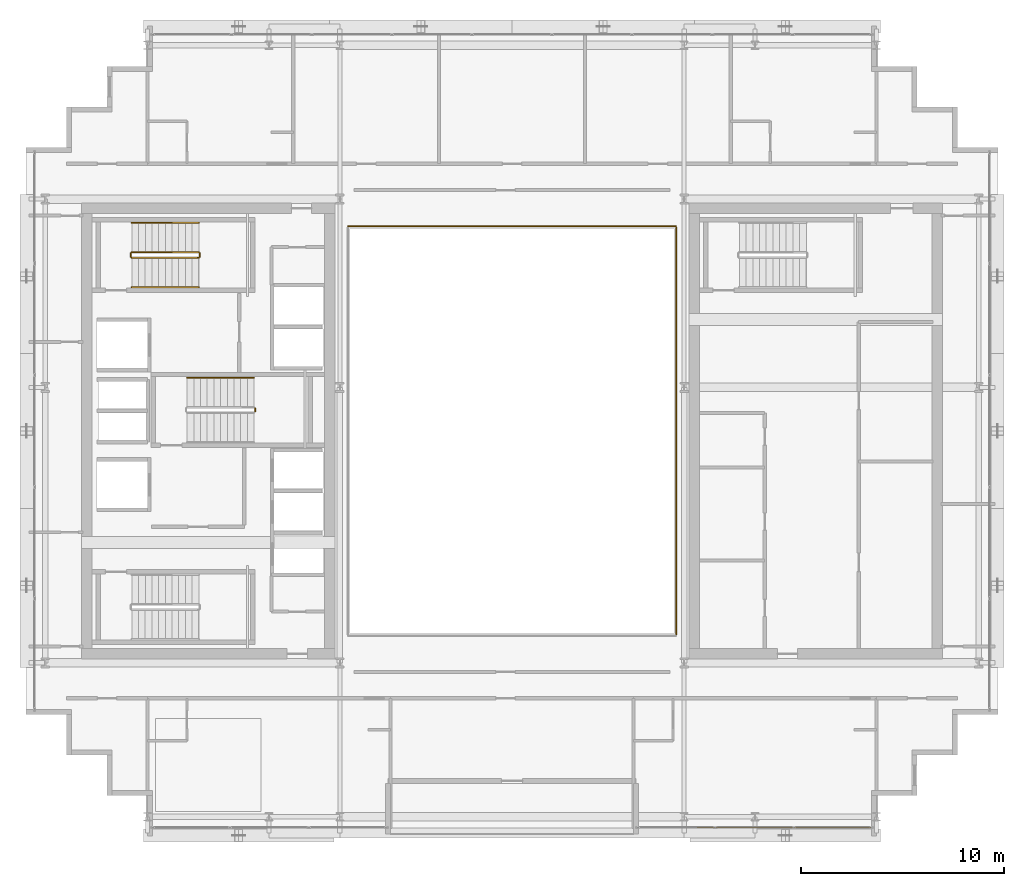
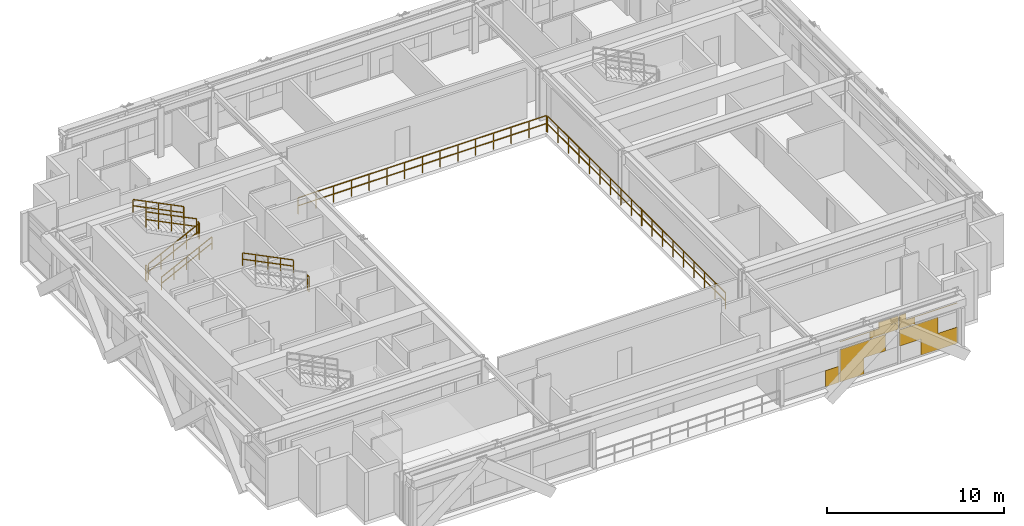
# One storey, part 28 of 30: 10 railings, 1 covering.
"""IFC4 building model written with IfcOpenShell, lengths in metres."""

from ifc_helpers import new_model, si_unit, direction, frame, origin, origin_2d, place, context, subcontext, project, spatial, rectangle, extrude, material, layer, layer_set, type_object, element, save


model = new_model("IFC4")

# Units and contexts
model_context = context("Model", 3, precision=1e-05, world=origin(), true_north=direction((0.0, 1.0)))
body_context = subcontext(model_context, "Body", "Model", "MODEL_VIEW")
ifc_project = project(units=[si_unit("LENGTHUNIT", "METRE"), si_unit("AREAUNIT", "SQUARE_METRE"), si_unit("VOLUMEUNIT", "CUBIC_METRE"), si_unit("PLANEANGLEUNIT", "RADIAN"), si_unit("MASSUNIT", "GRAM", prefix="KILO")], contexts=[model_context])

# Site, building, storey
site_placement = place(None, origin())
site = spatial("IfcSite", under=ifc_project, at=site_placement, CompositionType="ELEMENT")
building_placement = place(site_placement, origin())
building = spatial("IfcBuilding", under=site, at=building_placement, Name="Ocotamira Hotel", CompositionType="ELEMENT")
storey_placement = place(building_placement, frame((0.0, 0.0, 195.60009765625)))
storey = spatial("IfcBuildingStorey", under=building, at=storey_placement, Name="L49", CompositionType="ELEMENT", Elevation=195.60009765625)

# Covering
ifc_material_1 = material(Name="Insulated pale-metal aluminium spandrel panel", Category="aluminium")
ifc_layer = layer(ifc_material_1, 0.044921875)
ifc_layer_set = layer_set([ifc_layer], Name="Insulated pale-metal aluminium spandrel panel")
covering_type = type_object("IfcCoveringType", Name="COV-INFILL-45", PredefinedType="CLADDING", material=ifc_layer_set)
covering_placement = place(storey_placement, origin())
element("IfcCovering", 1, at=covering_placement, inside=storey, type_object=covering_type, Name="L49 Curtain Wall Infill CW-4 CW-L49-S2", PredefinedType="CLADDING", context=body_context, shape_type="SweptSolid", body=[
    extrude(rectangle(XDim=0.85888671875, YDim=0.044921875, at=origin_2d()), frame((41.5634765625, 6.419921875, 0.075439453125), z_axis=(0.0, 0.0, 1.0), x_axis=(1.0, 0.0, 0.0)), (0.0, 0.0, 1.0), 1.11767578125),
    extrude(rectangle(XDim=1.578125, YDim=0.044921875, at=origin_2d()), frame((42.86279296875, 6.419921875, 0.075439453125), z_axis=(0.0, 0.0, 1.0), x_axis=(1.0, 0.0, 0.0)), (0.0, 0.0, 1.0), 1.11767578125),
    extrude(rectangle(XDim=2.9765625, YDim=0.044921875, at=origin_2d()), frame((43.56201171875, 6.419921875, 1.19384765625), z_axis=(0.0, 0.0, 1.0), x_axis=(1.0, 0.0, 0.0)), (0.0, 0.0, 1.0), 1.117919921875),
    extrude(rectangle(XDim=3.80224609375, YDim=0.044921875, at=origin_2d()), frame((43.97509765625, 6.419921875, 2.83154296875), z_axis=(0.0, 0.0, 1.0), x_axis=(1.0, 0.0, 0.0)), (0.0, 0.0, 1.0), 0.0302734375),
    extrude(rectangle(XDim=1.8515625, YDim=0.044921875, at=origin_2d()), frame((44.950439453125, 6.419921875, 2.3876953125), z_axis=(0.0, 0.0, 1.0), x_axis=(1.0, 0.0, 0.0)), (0.0, 0.0, 1.0), 0.442626953125),
    extrude(rectangle(XDim=1.258056640625, YDim=0.044921875, at=origin_2d()), frame((45.2470703125, 6.419921875, 2.86279296875), z_axis=(0.0, 0.0, 1.0), x_axis=(1.0, 0.0, 0.0)), (0.0, 0.0, 1.0), 0.431640625),
    extrude(rectangle(XDim=2.510498046875, YDim=0.044921875, at=origin_2d()), frame((47.21240234375, 6.419921875, 1.19384765625), z_axis=(0.0, 0.0, 1.0), x_axis=(1.0, 0.0, 0.0)), (0.0, 0.0, 1.0), 1.117919921875),
    extrude(rectangle(XDim=2.37158203125, YDim=0.044921875, at=origin_2d()), frame((48.53369140625, 6.419921875, 0.075439453125), z_axis=(0.0, 0.0, 1.0), x_axis=(1.0, 0.0, 0.0)), (0.0, 0.0, 1.0), 1.11767578125),
    extrude(rectangle(XDim=1.018310546875, YDim=0.044921875, at=origin_2d()), frame((46.46630859375, 6.419921875, 2.3876953125), z_axis=(0.0, 0.0, 1.0), x_axis=(1.0, 0.0, 0.0)), (0.0, 0.0, 1.0), 0.442626953125),
    extrude(rectangle(XDim=3.76220703125, YDim=0.044921875, at=origin_2d()), frame((47.83837890625, 6.419921875, 2.83154296875), z_axis=(0.0, 0.0, 1.0), x_axis=(1.0, 0.0, 0.0)), (0.0, 0.0, 1.0), 0.0302734375),
    extrude(rectangle(XDim=0.4248046875, YDim=0.044921875, at=origin_2d()), frame((46.16943359375, 6.419921875, 2.86279296875), z_axis=(0.0, 0.0, 1.0), x_axis=(1.0, 0.0, 0.0)), (0.0, 0.0, 1.0), 0.431640625),
])

# Railings
ifc_material_2 = material(Name="Painted steel stair guardrail", Category="steel")
railing_type_1 = type_object("IfcRailingType", Name="RL-EDGE-1150", PredefinedType="GUARDRAIL", material=ifc_material_2)
railing_1_placement = place(storey_placement, frame((40.1201171875, 15.9599609375, 0.0)))
element("IfcRailing", 2, at=railing_1_placement, inside=storey, type_object=railing_type_1, Name="L49 Central Atrium Edge Guardrail E", PredefinedType="GUARDRAIL", context=body_context, shape_type="SweptSolid", body=[
    extrude(rectangle(XDim=0.048095703125, YDim=0.048095703125, at=origin_2d()), frame((0.0, 0.0, 1.1259765625), z_axis=(0.0, 1.0, 0.0), x_axis=(-1.0, 0.0, 0.0)), (0.0, 0.0, 1.0), 20.080078125),
    extrude(rectangle(XDim=0.048095703125, YDim=0.048095703125, at=origin_2d()), frame((0.0, 0.0, 0.574951171875), z_axis=(0.0, 1.0, 0.0), x_axis=(-1.0, 0.0, 0.0)), (0.0, 0.0, 1.0), 20.080078125),
    extrude(rectangle(XDim=0.0419921875, YDim=0.0419921875, at=origin_2d()), origin(), (0.0, 0.0, 1.0), 1.101806640625),
    extrude(rectangle(XDim=0.0419921875, YDim=0.0419921875, at=origin_2d()), frame((0.0, 1.18115234375, 0.0)), (0.0, 0.0, 1.0), 1.101806640625),
    extrude(rectangle(XDim=0.0419921875, YDim=0.0419921875, at=origin_2d()), frame((0.0, 2.3623046875, 0.0)), (0.0, 0.0, 1.0), 1.101806640625),
    extrude(rectangle(XDim=0.0419921875, YDim=0.0419921875, at=origin_2d()), frame((0.0, 3.54345703125, 0.0)), (0.0, 0.0, 1.0), 1.101806640625),
    extrude(rectangle(XDim=0.0419921875, YDim=0.0419921875, at=origin_2d()), frame((0.0, 4.724609375, 0.0)), (0.0, 0.0, 1.0), 1.101806640625),
    extrude(rectangle(XDim=0.0419921875, YDim=0.0419921875, at=origin_2d()), frame((0.0, 5.906005859375, 0.0)), (0.0, 0.0, 1.0), 1.101806640625),
    extrude(rectangle(XDim=0.0419921875, YDim=0.0419921875, at=origin_2d()), frame((0.0, 7.087158203125, 0.0)), (0.0, 0.0, 1.0), 1.101806640625),
    extrude(rectangle(XDim=0.0419921875, YDim=0.0419921875, at=origin_2d()), frame((0.0, 8.268310546875, 0.0)), (0.0, 0.0, 1.0), 1.101806640625),
    extrude(rectangle(XDim=0.0419921875, YDim=0.0419921875, at=origin_2d()), frame((0.0, 9.449462890625, 0.0)), (0.0, 0.0, 1.0), 1.101806640625),
    extrude(rectangle(XDim=0.0419921875, YDim=0.0419921875, at=origin_2d()), frame((0.0, 10.630615234375, 0.0)), (0.0, 0.0, 1.0), 1.101806640625),
    extrude(rectangle(XDim=0.0419921875, YDim=0.0419921875, at=origin_2d()), frame((0.0, 11.811767578125, 0.0)), (0.0, 0.0, 1.0), 1.101806640625),
    extrude(rectangle(XDim=0.0419921875, YDim=0.0419921875, at=origin_2d()), frame((0.0, 12.992919921875, 0.0)), (0.0, 0.0, 1.0), 1.101806640625),
    extrude(rectangle(XDim=0.0419921875, YDim=0.0419921875, at=origin_2d()), frame((0.0, 14.174072265625, 0.0)), (0.0, 0.0, 1.0), 1.101806640625),
    extrude(rectangle(XDim=0.0419921875, YDim=0.0419921875, at=origin_2d()), frame((0.0, 15.35546875, 0.0)), (0.0, 0.0, 1.0), 1.101806640625),
    extrude(rectangle(XDim=0.0419921875, YDim=0.0419921875, at=origin_2d()), frame((0.0, 16.53662109375, 0.0)), (0.0, 0.0, 1.0), 1.101806640625),
    extrude(rectangle(XDim=0.0419921875, YDim=0.0419921875, at=origin_2d()), frame((0.0, 17.7177734375, 0.0)), (0.0, 0.0, 1.0), 1.101806640625),
    extrude(rectangle(XDim=0.0419921875, YDim=0.0419921875, at=origin_2d()), frame((0.0, 18.89892578125, 0.0)), (0.0, 0.0, 1.0), 1.101806640625),
    extrude(rectangle(XDim=0.0419921875, YDim=0.0419921875, at=origin_2d()), frame((0.0, 20.080078125, 0.0)), (0.0, 0.0, 1.0), 1.101806640625),
])
railing_2_placement = place(storey_placement, frame((40.10009765625, 36.1201171875, 0.0)))
element("IfcRailing", 3, at=railing_2_placement, inside=storey, type_object=railing_type_1, Name="L49 Central Atrium Edge Guardrail N", PredefinedType="GUARDRAIL", context=body_context, shape_type="SweptSolid", body=[
    extrude(rectangle(XDim=0.048095703125, YDim=0.048095703125, at=origin_2d()), frame((0.0, 0.0, 1.1259765625), z_axis=(-1.0, 0.0, 0.0), x_axis=(0.0, -1.0, 0.0)), (0.0, 0.0, 1.0), 16.2001953125),
    extrude(rectangle(XDim=0.048095703125, YDim=0.048095703125, at=origin_2d()), frame((0.0, 0.0, 0.574951171875), z_axis=(-1.0, 0.0, 0.0), x_axis=(0.0, -1.0, 0.0)), (0.0, 0.0, 1.0), 16.2001953125),
    extrude(rectangle(XDim=0.0419921875, YDim=0.0419921875, at=origin_2d()), origin(), (0.0, 0.0, 1.0), 1.101806640625),
    extrude(rectangle(XDim=0.0419921875, YDim=0.0419921875, at=origin_2d()), frame((-1.1572265625, 0.0, 0.0)), (0.0, 0.0, 1.0), 1.101806640625),
    extrude(rectangle(XDim=0.0419921875, YDim=0.0419921875, at=origin_2d()), frame((-2.314208984375, 0.0, 0.0)), (0.0, 0.0, 1.0), 1.101806640625),
    extrude(rectangle(XDim=0.0419921875, YDim=0.0419921875, at=origin_2d()), frame((-3.471435546875, 0.0, 0.0)), (0.0, 0.0, 1.0), 1.101806640625),
    extrude(rectangle(XDim=0.0419921875, YDim=0.0419921875, at=origin_2d()), frame((-4.628662109375, 0.0, 0.0)), (0.0, 0.0, 1.0), 1.101806640625),
    extrude(rectangle(XDim=0.0419921875, YDim=0.0419921875, at=origin_2d()), frame((-5.785888671875, 0.0, 0.0)), (0.0, 0.0, 1.0), 1.101806640625),
    extrude(rectangle(XDim=0.0419921875, YDim=0.0419921875, at=origin_2d()), frame((-6.94287109375, 0.0, 0.0)), (0.0, 0.0, 1.0), 1.101806640625),
    extrude(rectangle(XDim=0.0419921875, YDim=0.0419921875, at=origin_2d()), frame((-8.10009765625, 0.0, 0.0)), (0.0, 0.0, 1.0), 1.101806640625),
    extrude(rectangle(XDim=0.0419921875, YDim=0.0419921875, at=origin_2d()), frame((-9.25732421875, 0.0, 0.0)), (0.0, 0.0, 1.0), 1.101806640625),
    extrude(rectangle(XDim=0.0419921875, YDim=0.0419921875, at=origin_2d()), frame((-10.414306640625, 0.0, 0.0)), (0.0, 0.0, 1.0), 1.101806640625),
    extrude(rectangle(XDim=0.0419921875, YDim=0.0419921875, at=origin_2d()), frame((-11.571533203125, 0.0, 0.0)), (0.0, 0.0, 1.0), 1.101806640625),
    extrude(rectangle(XDim=0.0419921875, YDim=0.0419921875, at=origin_2d()), frame((-12.728759765625, 0.0, 0.0)), (0.0, 0.0, 1.0), 1.101806640625),
    extrude(rectangle(XDim=0.0419921875, YDim=0.0419921875, at=origin_2d()), frame((-13.885986328125, 0.0, 0.0)), (0.0, 0.0, 1.0), 1.101806640625),
    extrude(rectangle(XDim=0.0419921875, YDim=0.0419921875, at=origin_2d()), frame((-15.04296875, 0.0, 0.0)), (0.0, 0.0, 1.0), 1.101806640625),
    extrude(rectangle(XDim=0.0419921875, YDim=0.0419921875, at=origin_2d()), frame((-16.2001953125, 0.0, 0.0)), (0.0, 0.0, 1.0), 1.101806640625),
])
ifc_material_3 = material(Name="Brushed stainless steel handrail", Category="steel")
railing_type_2 = type_object("IfcRailingType", Name="RL-HAND-900", PredefinedType="HANDRAIL", material=ifc_material_3)
railing_3_placement = place(storey_placement, frame((13.22998046875, 33.10009765625, 0.3271484375)))
element("IfcRailing", 4, at=railing_3_placement, inside=storey, type_object=railing_type_2, Name="L49 ST-2 stair handrail 1", PredefinedType="HANDRAIL", context=body_context, shape_type="SweptSolid", body=[
    extrude(rectangle(XDim=0.048095703125, YDim=0.048095703125, at=origin_2d()), frame((0.0, 0.0, 0.8759765625), z_axis=(0.895893744519, 0.0, 0.4442683857), x_axis=(0.0, 1.0, 0.0)), (0.0, 0.0, 1.0), 3.68359375),
    extrude(rectangle(XDim=0.048095703125, YDim=0.048095703125, at=origin_2d()), frame((0.0, 0.0, 0.449951171875), z_axis=(0.895893744519, 0.0, 0.4442683857), x_axis=(0.0, 1.0, 0.0)), (0.0, 0.0, 1.0), 3.68359375),
    extrude(rectangle(XDim=0.0419921875, YDim=0.0419921875, at=origin_2d()), origin(), (0.0, 0.0, 1.0), 0.851806640625),
    extrude(rectangle(XDim=0.0419921875, YDim=0.0419921875, at=origin_2d()), frame((0.824951171875, 0.0, 0.4091796875)), (0.0, 0.0, 1.0), 0.851806640625),
    extrude(rectangle(XDim=0.0419921875, YDim=0.0419921875, at=origin_2d()), frame((1.64990234375, 0.0, 0.818359375)), (0.0, 0.0, 1.0), 0.851806640625),
    extrude(rectangle(XDim=0.0419921875, YDim=0.0419921875, at=origin_2d()), frame((2.47509765625, 0.0, 1.227294921875)), (0.0, 0.0, 1.0), 0.851806640625),
    extrude(rectangle(XDim=0.0419921875, YDim=0.0419921875, at=origin_2d()), frame((3.300048828125, 0.0, 1.636474609375)), (0.0, 0.0, 1.0), 0.851806640625),
])
for number, where, name in (
    (5, (16.530029296875, 36.280029296875, 2.127197265625), "L49 ST-2 stair handrail 2"),
    (6, (19.260009765625, 28.6298828125, 2.127197265625), "L49 ST-3 stair handrail 2"),
):
    element("IfcRailing", number, at=place(storey_placement, frame(where)), inside=storey, type_object=railing_type_2, Name=name, PredefinedType="HANDRAIL", context=body_context, shape_type="SweptSolid", body=[
        extrude(rectangle(XDim=0.048095703125, YDim=0.048095703125, at=origin_2d()), frame((0.0, 0.0, 0.8759765625), z_axis=(-0.895920123917, 0.0, 0.444215186098), x_axis=(0.0, -1.0, 0.0)), (0.0, 0.0, 1.0), 3.683349609375),
        extrude(rectangle(XDim=0.048095703125, YDim=0.048095703125, at=origin_2d()), frame((0.0, 0.0, 0.449951171875), z_axis=(-0.895920123917, 0.0, 0.444215186098), x_axis=(0.0, -1.0, 0.0)), (0.0, 0.0, 1.0), 3.683349609375),
        extrude(rectangle(XDim=0.0419921875, YDim=0.0419921875, at=origin_2d()), origin(), (0.0, 0.0, 1.0), 0.851806640625),
        extrude(rectangle(XDim=0.0419921875, YDim=0.0419921875, at=origin_2d()), frame((-0.824951171875, 0.0, 0.4091796875)), (0.0, 0.0, 1.0), 0.851806640625),
        extrude(rectangle(XDim=0.0419921875, YDim=0.0419921875, at=origin_2d()), frame((-1.64990234375, 0.0, 0.818115234375)), (0.0, 0.0, 1.0), 0.851806640625),
        extrude(rectangle(XDim=0.0419921875, YDim=0.0419921875, at=origin_2d()), frame((-2.47509765625, 0.0, 1.22705078125)), (0.0, 0.0, 1.0), 0.851806640625),
        extrude(rectangle(XDim=0.0419921875, YDim=0.0419921875, at=origin_2d()), frame((-3.300048828125, 0.0, 1.63623046875)), (0.0, 0.0, 1.0), 0.851806640625),
    ])
railing_type_3 = type_object("IfcRailingType", Name="RL-STAIR-1100", PredefinedType="GUARDRAIL", material=ifc_material_2)
railing_4_placement = place(storey_placement, frame((13.22998046875, 34.56005859375, 0.16357421875)))
element("IfcRailing", 7, at=railing_4_placement, inside=storey, type_object=railing_type_3, Name="L49 ST-2 stair guard 1", PredefinedType="GUARDRAIL", context=body_context, shape_type="SweptSolid", body=[
    extrude(rectangle(XDim=0.048095703125, YDim=0.048095703125, at=origin_2d()), frame((0.0, 0.0, 1.076171875), z_axis=(0.895920123917, 0.0, 0.444215186098), x_axis=(0.0, 1.0, 0.0)), (0.0, 0.0, 1.0), 3.683349609375),
    extrude(rectangle(XDim=0.048095703125, YDim=0.048095703125, at=origin_2d()), frame((0.0, 0.0, 0.550048828125), z_axis=(0.895920123917, 0.0, 0.444215186098), x_axis=(0.0, 1.0, 0.0)), (0.0, 0.0, 1.0), 3.683349609375),
    extrude(rectangle(XDim=0.0419921875, YDim=0.0419921875, at=origin_2d()), origin(), (0.0, 0.0, 1.0), 1.052001953125),
    extrude(rectangle(XDim=0.0419921875, YDim=0.0419921875, at=origin_2d()), frame((0.824951171875, 0.0, 0.4091796875)), (0.0, 0.0, 1.0), 1.052001953125),
    extrude(rectangle(XDim=0.0419921875, YDim=0.0419921875, at=origin_2d()), frame((1.64990234375, 0.0, 0.818115234375)), (0.0, 0.0, 1.0), 1.052001953125),
    extrude(rectangle(XDim=0.0419921875, YDim=0.0419921875, at=origin_2d()), frame((2.47509765625, 0.0, 1.22705078125)), (0.0, 0.0, 1.0), 1.052001953125),
    extrude(rectangle(XDim=0.0419921875, YDim=0.0419921875, at=origin_2d()), frame((3.300048828125, 0.0, 1.63623046875)), (0.0, 0.0, 1.0), 1.052001953125),
])
railing_5_placement = place(storey_placement, frame((16.580078125, 34.610107421875, 1.7998046875)))
element("IfcRailing", 8, at=railing_5_placement, inside=storey, type_object=railing_type_3, Name="L49 ST-2 stair guard 2", PredefinedType="GUARDRAIL", context=body_context, shape_type="SweptSolid", body=[
    extrude(rectangle(XDim=0.048095703125, YDim=0.048095703125, at=origin_2d()), frame((0.0, 0.0, 1.076171875), z_axis=(0.0, 1.0, 0.0), x_axis=(-1.0, 0.0, 0.0)), (0.0, 0.0, 1.0), 0.159912109375),
    extrude(rectangle(XDim=0.048095703125, YDim=0.048095703125, at=origin_2d()), frame((0.0, 0.0, 0.550048828125), z_axis=(0.0, 1.0, 0.0), x_axis=(-1.0, 0.0, 0.0)), (0.0, 0.0, 1.0), 0.159912109375),
    extrude(rectangle(XDim=0.0419921875, YDim=0.0419921875, at=origin_2d()), origin(), (0.0, 0.0, 1.0), 1.052001953125),
    extrude(rectangle(XDim=0.0419921875, YDim=0.0419921875, at=origin_2d()), frame((0.0, 0.159912109375, 0.0)), (0.0, 0.0, 1.0), 1.052001953125),
])
railing_6_placement = place(storey_placement, frame((16.530029296875, 34.820068359375, 1.963623046875)))
element("IfcRailing", 9, at=railing_6_placement, inside=storey, type_object=railing_type_3, Name="L49 ST-2 stair guard 3", PredefinedType="GUARDRAIL", context=body_context, shape_type="SweptSolid", body=[
    extrude(rectangle(XDim=0.048095703125, YDim=0.048095703125, at=origin_2d()), frame((0.0, 0.0, 1.076171875), z_axis=(-0.895920123917, 0.0, 0.444215186098), x_axis=(0.0, -1.0, 0.0)), (0.0, 0.0, 1.0), 3.683349609375),
    extrude(rectangle(XDim=0.048095703125, YDim=0.048095703125, at=origin_2d()), frame((0.0, 0.0, 0.550048828125), z_axis=(-0.895920123917, 0.0, 0.444215186098), x_axis=(0.0, -1.0, 0.0)), (0.0, 0.0, 1.0), 3.683349609375),
    extrude(rectangle(XDim=0.0419921875, YDim=0.0419921875, at=origin_2d()), origin(), (0.0, 0.0, 1.0), 1.052001953125),
    extrude(rectangle(XDim=0.0419921875, YDim=0.0419921875, at=origin_2d()), frame((-0.824951171875, 0.0, 0.4091796875)), (0.0, 0.0, 1.0), 1.052001953125),
    extrude(rectangle(XDim=0.0419921875, YDim=0.0419921875, at=origin_2d()), frame((-1.64990234375, 0.0, 0.818115234375)), (0.0, 0.0, 1.0), 1.052001953125),
    extrude(rectangle(XDim=0.0419921875, YDim=0.0419921875, at=origin_2d()), frame((-2.47509765625, 0.0, 1.22705078125)), (0.0, 0.0, 1.0), 1.052001953125),
    extrude(rectangle(XDim=0.0419921875, YDim=0.0419921875, at=origin_2d()), frame((-3.300048828125, 0.0, 1.63623046875)), (0.0, 0.0, 1.0), 1.052001953125),
])
railing_7_placement = place(storey_placement, frame((13.179931640625, 34.610107421875, 0.0)))
element("IfcRailing", 10, at=railing_7_placement, inside=storey, type_object=railing_type_3, Name="L49 ST-2 stair guard 4", PredefinedType="GUARDRAIL", context=body_context, shape_type="SweptSolid", body=[
    extrude(rectangle(XDim=0.048095703125, YDim=0.048095703125, at=origin_2d()), frame((0.0, 0.0, 1.076171875), z_axis=(0.0, 1.0, 0.0), x_axis=(-1.0, 0.0, 0.0)), (0.0, 0.0, 1.0), 0.159912109375),
    extrude(rectangle(XDim=0.048095703125, YDim=0.048095703125, at=origin_2d()), frame((0.0, 0.0, 0.550048828125), z_axis=(0.0, 1.0, 0.0), x_axis=(-1.0, 0.0, 0.0)), (0.0, 0.0, 1.0), 0.159912109375),
    extrude(rectangle(XDim=0.0419921875, YDim=0.0419921875, at=origin_2d()), origin(), (0.0, 0.0, 1.0), 1.052001953125),
    extrude(rectangle(XDim=0.0419921875, YDim=0.0419921875, at=origin_2d()), frame((0.0, 0.159912109375, 0.0)), (0.0, 0.0, 1.0), 1.052001953125),
])
railing_8_placement = place(storey_placement, frame((19.31005859375, 26.9599609375, 1.7998046875)))
element("IfcRailing", 11, at=railing_8_placement, inside=storey, type_object=railing_type_3, Name="L49 ST-3 stair guard 2", PredefinedType="GUARDRAIL", context=body_context, shape_type="SweptSolid", body=[
    extrude(rectangle(XDim=0.048095703125, YDim=0.048095703125, at=origin_2d()), frame((0.0, 0.0, 1.076171875), z_axis=(0.0, 1.0, 0.0), x_axis=(-1.0, 0.0, 0.0)), (0.0, 0.0, 1.0), 0.16015625),
    extrude(rectangle(XDim=0.048095703125, YDim=0.048095703125, at=origin_2d()), frame((0.0, 0.0, 0.550048828125), z_axis=(0.0, 1.0, 0.0), x_axis=(-1.0, 0.0, 0.0)), (0.0, 0.0, 1.0), 0.16015625),
    extrude(rectangle(XDim=0.0419921875, YDim=0.0419921875, at=origin_2d()), origin(), (0.0, 0.0, 1.0), 1.052001953125),
    extrude(rectangle(XDim=0.0419921875, YDim=0.0419921875, at=origin_2d()), frame((0.0, 0.16015625, 0.0)), (0.0, 0.0, 1.0), 1.052001953125),
])

save(model, "model.ifc")
